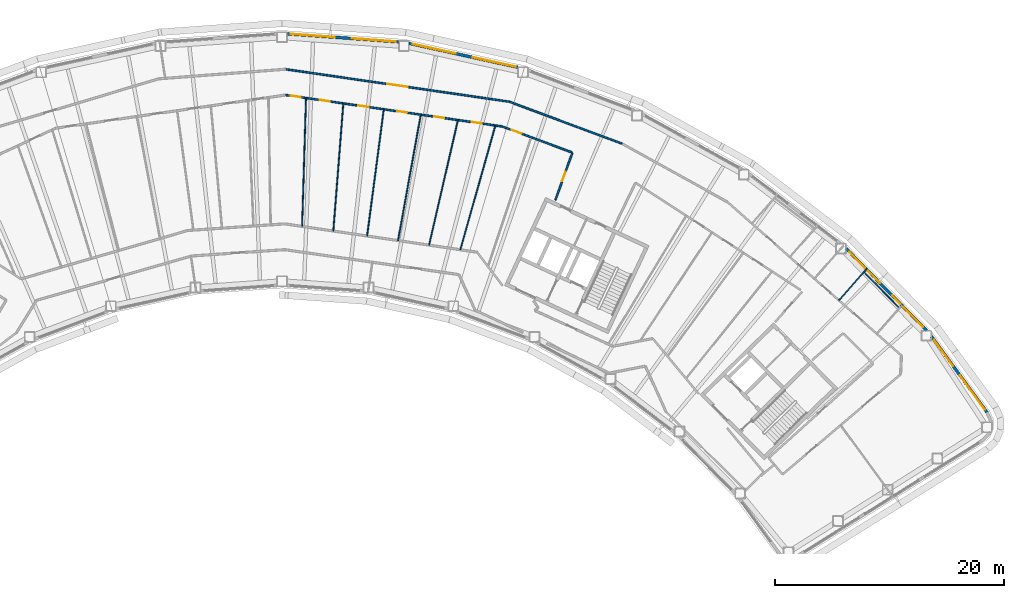
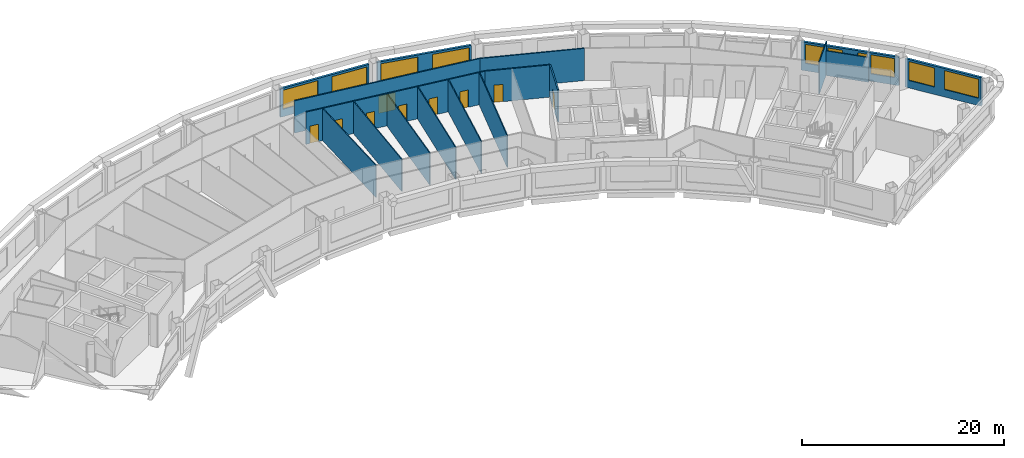
# One storey, part 11 of 17: 17 walls, 10 windows, 9 doors, 19 openings.
"""IFC4 building model written with IfcOpenShell, lengths in metres."""

from ifc_helpers import new_model, si_unit, direction, frame, frame_2d, origin, place, context, subcontext, project, spatial, rectangle, extrude, material, layer, layer_set, type_object, element, fill, save


model = new_model("IFC4")

# Units and contexts
model_context = context("Model", 3, precision=1e-05, world=origin(), true_north=direction((0.0, 1.0)))
body_context = subcontext(model_context, "Body", "Model", "MODEL_VIEW")
ifc_project = project(units=[si_unit("LENGTHUNIT", "METRE"), si_unit("AREAUNIT", "SQUARE_METRE"), si_unit("VOLUMEUNIT", "CUBIC_METRE"), si_unit("PLANEANGLEUNIT", "RADIAN"), si_unit("MASSUNIT", "GRAM", prefix="KILO")], contexts=[model_context])

# Site, building, storey
site_placement = place(None, origin())
site = spatial("IfcSite", under=ifc_project, at=site_placement, CompositionType="ELEMENT")
building_placement = place(site_placement, origin())
building = spatial("IfcBuilding", under=site, at=building_placement, Name="Tuul Gate Civic Tower", CompositionType="ELEMENT")
storey_placement = place(building_placement, frame((0.0, 0.0, 222.10009765625)))
storey = spatial("IfcBuildingStorey", under=building, at=storey_placement, Name="Level 50", CompositionType="ELEMENT", Elevation=222.10009765625)

# Wall
ifc_material_1 = material(Name="Gypsum board partition")
ifc_layer_1 = layer(ifc_material_1, 0.14990234375)
ifc_layer_set_1 = layer_set([ifc_layer_1], Name="Gypsum board partition")
wall_type_1 = type_object("IfcWallType", Name="Corridor wall P150", PredefinedType="PARTITIONING", material=ifc_layer_set_1)
wall_1_placement = place(storey_placement, frame((25.821044921875, 12.917724609375, 0.0), z_axis=(0.0, 0.0, 1.0), x_axis=(0.937348896715, -0.348392086345, 0.0)))
element("IfcWall", 1, at=wall_1_placement, inside=storey, type_object=wall_type_1, Name="p009", PredefinedType="PARTITIONING", context=body_context, shape_type="SweptSolid", body=[
    extrude(rectangle(XDim=10.526123046875, YDim=0.14990234375, at=frame_2d((5.26318359375, 0.0))), origin(), (0.0, 0.0, 1.0), 3.89990234375),
])

# Wall, opening, door
wall_2_placement = place(storey_placement, frame((6.242919921875, 15.760986328125, 0.0), z_axis=(0.0, 0.0, 1.0), x_axis=(0.989618566512, -0.143718797706, 0.0)))
wall_2 = element("IfcWall", 2, at=wall_2_placement, inside=storey, type_object=wall_type_1, Name="p010", PredefinedType="PARTITIONING", context=body_context, shape_type="SweptSolid", body=[
    extrude(rectangle(XDim=19.783447265625, YDim=0.14990234375, at=frame_2d((9.8916015625, 0.0))), origin(), (0.0, 0.0, 1.0), 3.89990234375),
])
opening_1_placement = place(wall_2_placement, frame((8.99169921875, 0.0, 0.0)))
opening_1 = element("IfcOpeningElement", 3, at=opening_1_placement, cuts=wall_2, Name="Opening R-D03", PredefinedType="OPENING", context=body_context, shape_type="SweptSolid", body=[
    extrude(rectangle(XDim=1.800048828125, YDim=2.10009765625, at=frame_2d((0.89990234375, 1.050048828125))), frame((0.0, 0.0849609375, 0.0), z_axis=(0.0, -1.0, 0.0), x_axis=(1.0, 0.0, 0.0)), (0.0, 0.0, 1.0), 0.169921875),
])
ifc_material_2 = material(Name="Timber door leaf, double", Category="wood")
door_type_1 = type_object("IfcDoorType", Name="Door D18", OperationType="DOUBLE_DOOR_SINGLE_SWING", PredefinedType="DOOR", material=ifc_material_2)
door_1_placement = place(opening_1_placement, origin())
door_1 = element("IfcDoor", 4, at=door_1_placement, inside=storey, type_object=door_type_1, Name="Door R-D03", OperationType="DOUBLE_DOOR_SINGLE_SWING", OverallHeight=2.10009765625, OverallWidth=1.800048828125, PredefinedType="DOOR", context=body_context, shape_type="SweptSolid", body=[
    extrude(rectangle(XDim=1.800048828125, YDim=2.10009765625, at=frame_2d((0.89990234375, 1.050048828125))), frame((0.0, 0.02490234375, 0.0), z_axis=(0.0, -1.0, 0.0), x_axis=(1.0, 0.0, 0.0)), (0.0, 0.0, 1.0), 0.050048828125),
])
fill(opening_1, door_1)

wall_3_placement = place(storey_placement, frame((25.187255859375, 10.7529296875, 0.0), z_axis=(0.0, 0.0, 1.0), x_axis=(0.937347352452, -0.348396241157, 0.0)))
wall_3 = element("IfcWall", 5, at=wall_3_placement, inside=storey, type_object=wall_type_1, Name="p061", PredefinedType="PARTITIONING", context=body_context, shape_type="SweptSolid", body=[
    extrude(rectangle(XDim=6.547119140625, YDim=0.14990234375, at=frame_2d((3.2734375, 0.0))), origin(), (0.0, 0.0, 1.0), 3.89990234375),
])
opening_2_placement = place(wall_3_placement, frame((0.9091796875, 0.0, 0.0)))
opening_2 = element("IfcOpeningElement", 6, at=opening_2_placement, cuts=wall_3, Name="Opening R-D18", PredefinedType="OPENING", context=body_context, shape_type="SweptSolid", body=[
    extrude(rectangle(XDim=0.89990234375, YDim=2.10009765625, at=frame_2d((0.449951171875, 1.050048828125))), frame((0.0, 0.0849609375, 0.0), z_axis=(0.0, -1.0, 0.0), x_axis=(1.0, 0.0, 0.0)), (0.0, 0.0, 1.0), 0.169921875),
])
ifc_material_3 = material(Name="Timber door leaf", Category="wood")
door_type_2 = type_object("IfcDoorType", Name="Door D09", OperationType="NOTDEFINED", PredefinedType="DOOR", material=ifc_material_3)
door_2_placement = place(opening_2_placement, frame((0.89990234375, 0.0, 0.0), z_axis=(0.0, 0.0, 1.0), x_axis=(-1.0, 0.0, 0.0)))
door_2 = element("IfcDoor", 7, at=door_2_placement, inside=storey, type_object=door_type_2, Name="Door R-D18", OperationType="SINGLE_SWING_LEFT", OverallHeight=2.10009765625, OverallWidth=0.89990234375, PredefinedType="DOOR", context=body_context, shape_type="SweptSolid", body=[
    extrude(rectangle(XDim=0.89990234375, YDim=2.10009765625, at=frame_2d((0.449951171875, 1.050048828125))), frame((0.0, 0.02490234375, 0.0), z_axis=(0.0, -1.0, 0.0), x_axis=(1.0, 0.0, 0.0)), (0.0, 0.0, 1.0), 0.050048828125),
])
fill(opening_2, door_2)

wall_4_placement = place(storey_placement, frame((29.856201171875, 4.308349609375, 0.0), z_axis=(0.0, 0.0, 1.0), x_axis=(0.336804466951, 0.941574612573, 0.0)))
wall_4 = element("IfcWall", 8, at=wall_4_placement, inside=storey, type_object=wall_type_1, Name="p062", PredefinedType="PARTITIONING", context=body_context, shape_type="SweptSolid", body=[
    extrude(rectangle(XDim=4.394287109375, YDim=0.14990234375, at=frame_2d((2.197265625, 0.0))), origin(), (0.0, 0.0, 1.0), 3.89990234375),
])
opening_3_placement = place(wall_4_placement, frame((1.747314453125, 0.0, 0.0)))
opening_3 = element("IfcOpeningElement", 9, at=opening_3_placement, cuts=wall_4, Name="Opening R-D17", PredefinedType="OPENING", context=body_context, shape_type="SweptSolid", body=[
    extrude(rectangle(XDim=0.89990234375, YDim=2.10009765625, at=frame_2d((0.449951171875, 1.050048828125))), frame((0.0, 0.0849609375, 0.0), z_axis=(0.0, -1.0, 0.0), x_axis=(1.0, 0.0, 0.0)), (0.0, 0.0, 1.0), 0.169921875),
])
door_3_placement = place(opening_3_placement, origin())
door_3 = element("IfcDoor", 10, at=door_3_placement, inside=storey, type_object=door_type_2, Name="Door R-D17", OperationType="SINGLE_SWING_RIGHT", OverallHeight=2.10009765625, OverallWidth=0.89990234375, PredefinedType="DOOR", context=body_context, shape_type="SweptSolid", body=[
    extrude(rectangle(XDim=0.89990234375, YDim=2.10009765625, at=frame_2d((0.449951171875, 1.050048828125))), frame((0.0, 0.02490234375, 0.0), z_axis=(0.0, -1.0, 0.0), x_axis=(1.0, 0.0, 0.0)), (0.0, 0.0, 1.0), 0.050048828125),
])
fill(opening_3, door_3)

# Wall, openings, doors
wall_5_placement = place(storey_placement, frame((6.25, 13.50439453125, 0.0), z_axis=(0.0, 0.0, 1.0), x_axis=(0.989614183691, -0.143748973694, 0.0)))
wall_5 = element("IfcWall", 11, at=wall_5_placement, inside=storey, type_object=wall_type_1, Name="p065", PredefinedType="PARTITIONING", context=body_context, shape_type="SweptSolid", body=[
    extrude(rectangle(XDim=19.130615234375, YDim=0.14990234375, at=frame_2d((9.5654296875, 0.0))), origin(), (0.0, 0.0, 1.0), 3.89990234375),
])
opening_4_placement = place(wall_5_placement, frame((16.439697265625, 0.0, 0.0)))
opening_4 = element("IfcOpeningElement", 12, at=opening_4_placement, cuts=wall_5, Name="Opening R-D19", PredefinedType="OPENING", context=body_context, shape_type="SweptSolid", body=[
    extrude(rectangle(XDim=0.89990234375, YDim=2.10009765625, at=frame_2d((0.449951171875, 1.050048828125))), frame((0.0, 0.0849609375, 0.0), z_axis=(0.0, -1.0, 0.0), x_axis=(1.0, 0.0, 0.0)), (0.0, 0.0, 1.0), 0.169921875),
])
opening_5_placement = place(wall_5_placement, frame((13.142822265625, 0.0, 0.0)))
opening_5 = element("IfcOpeningElement", 13, at=opening_5_placement, cuts=wall_5, Name="Opening R-D20", PredefinedType="OPENING", context=body_context, shape_type="SweptSolid", body=[
    extrude(rectangle(XDim=0.89990234375, YDim=2.10009765625, at=frame_2d((0.449951171875, 1.050048828125))), frame((0.0, 0.0849609375, 0.0), z_axis=(0.0, -1.0, 0.0), x_axis=(1.0, 0.0, 0.0)), (0.0, 0.0, 1.0), 0.169921875),
])
opening_6_placement = place(wall_5_placement, frame((9.864501953125, 0.0, 0.0)))
opening_6 = element("IfcOpeningElement", 14, at=opening_6_placement, cuts=wall_5, Name="Opening R-D21", PredefinedType="OPENING", context=body_context, shape_type="SweptSolid", body=[
    extrude(rectangle(XDim=0.89990234375, YDim=2.10009765625, at=frame_2d((0.449951171875, 1.050048828125))), frame((0.0, 0.0849609375, 0.0), z_axis=(0.0, -1.0, 0.0), x_axis=(1.0, 0.0, 0.0)), (0.0, 0.0, 1.0), 0.169921875),
])
opening_7_placement = place(wall_5_placement, frame((6.4404296875, 0.0, 0.0)))
opening_7 = element("IfcOpeningElement", 15, at=opening_7_placement, cuts=wall_5, Name="Opening R-D22", PredefinedType="OPENING", context=body_context, shape_type="SweptSolid", body=[
    extrude(rectangle(XDim=0.89990234375, YDim=2.10009765625, at=frame_2d((0.449951171875, 1.050048828125))), frame((0.0, 0.0849609375, 0.0), z_axis=(0.0, -1.0, 0.0), x_axis=(1.0, 0.0, 0.0)), (0.0, 0.0, 1.0), 0.169921875),
])
opening_8_placement = place(wall_5_placement, frame((3.003173828125, 0.0, 0.0)))
opening_8 = element("IfcOpeningElement", 16, at=opening_8_placement, cuts=wall_5, Name="Opening R-D23", PredefinedType="OPENING", context=body_context, shape_type="SweptSolid", body=[
    extrude(rectangle(XDim=0.89990234375, YDim=2.10009765625, at=frame_2d((0.449951171875, 1.050048828125))), frame((0.0, 0.0849609375, 0.0), z_axis=(0.0, -1.0, 0.0), x_axis=(1.0, 0.0, 0.0)), (0.0, 0.0, 1.0), 0.169921875),
])
opening_9_placement = place(wall_5_placement, frame((0.451904296875, 0.0, 0.0)))
opening_9 = element("IfcOpeningElement", 17, at=opening_9_placement, cuts=wall_5, Name="Opening R-D24", PredefinedType="OPENING", context=body_context, shape_type="SweptSolid", body=[
    extrude(rectangle(XDim=0.89990234375, YDim=2.10009765625, at=frame_2d((0.449951171875, 1.050048828125))), frame((0.0, 0.0849609375, 0.0), z_axis=(0.0, -1.0, 0.0), x_axis=(1.0, 0.0, 0.0)), (0.0, 0.0, 1.0), 0.169921875),
])
door_4_placement = place(opening_4_placement, frame((0.89990234375, 0.0, 0.0), z_axis=(0.0, 0.0, 1.0), x_axis=(-1.0, 0.0, 0.0)))
door_4 = element("IfcDoor", 18, at=door_4_placement, inside=storey, type_object=door_type_2, Name="Door R-D19", OperationType="SINGLE_SWING_LEFT", OverallHeight=2.10009765625, OverallWidth=0.89990234375, PredefinedType="DOOR", context=body_context, shape_type="SweptSolid", body=[
    extrude(rectangle(XDim=0.89990234375, YDim=2.10009765625, at=frame_2d((0.449951171875, 1.050048828125))), frame((0.0, 0.02490234375, 0.0), z_axis=(0.0, -1.0, 0.0), x_axis=(1.0, 0.0, 0.0)), (0.0, 0.0, 1.0), 0.050048828125),
])
fill(opening_4, door_4)
door_5_placement = place(opening_5_placement, frame((0.89990234375, 0.0, 0.0), z_axis=(0.0, 0.0, 1.0), x_axis=(-1.0, 0.0, 0.0)))
door_5 = element("IfcDoor", 19, at=door_5_placement, inside=storey, type_object=door_type_2, Name="Door R-D20", OperationType="SINGLE_SWING_LEFT", OverallHeight=2.10009765625, OverallWidth=0.89990234375, PredefinedType="DOOR", context=body_context, shape_type="SweptSolid", body=[
    extrude(rectangle(XDim=0.89990234375, YDim=2.10009765625, at=frame_2d((0.449951171875, 1.050048828125))), frame((0.0, 0.02490234375, 0.0), z_axis=(0.0, -1.0, 0.0), x_axis=(1.0, 0.0, 0.0)), (0.0, 0.0, 1.0), 0.050048828125),
])
fill(opening_5, door_5)
door_6_placement = place(opening_6_placement, frame((0.89990234375, 0.0, 0.0), z_axis=(0.0, 0.0, 1.0), x_axis=(-1.0, 0.0, 0.0)))
door_6 = element("IfcDoor", 20, at=door_6_placement, inside=storey, type_object=door_type_2, Name="Door R-D21", OperationType="SINGLE_SWING_LEFT", OverallHeight=2.10009765625, OverallWidth=0.89990234375, PredefinedType="DOOR", context=body_context, shape_type="SweptSolid", body=[
    extrude(rectangle(XDim=0.89990234375, YDim=2.10009765625, at=frame_2d((0.449951171875, 1.050048828125))), frame((0.0, 0.02490234375, 0.0), z_axis=(0.0, -1.0, 0.0), x_axis=(1.0, 0.0, 0.0)), (0.0, 0.0, 1.0), 0.050048828125),
])
fill(opening_6, door_6)
door_7_placement = place(opening_7_placement, frame((0.89990234375, 0.0, 0.0), z_axis=(0.0, 0.0, 1.0), x_axis=(-1.0, 0.0, 0.0)))
door_7 = element("IfcDoor", 21, at=door_7_placement, inside=storey, type_object=door_type_2, Name="Door R-D22", OperationType="SINGLE_SWING_LEFT", OverallHeight=2.10009765625, OverallWidth=0.89990234375, PredefinedType="DOOR", context=body_context, shape_type="SweptSolid", body=[
    extrude(rectangle(XDim=0.89990234375, YDim=2.10009765625, at=frame_2d((0.449951171875, 1.050048828125))), frame((0.0, 0.02490234375, 0.0), z_axis=(0.0, -1.0, 0.0), x_axis=(1.0, 0.0, 0.0)), (0.0, 0.0, 1.0), 0.050048828125),
])
fill(opening_7, door_7)
door_8_placement = place(opening_8_placement, frame((0.89990234375, 0.0, 0.0), z_axis=(0.0, 0.0, 1.0), x_axis=(-1.0, 0.0, 0.0)))
door_8 = element("IfcDoor", 22, at=door_8_placement, inside=storey, type_object=door_type_2, Name="Door R-D23", OperationType="SINGLE_SWING_LEFT", OverallHeight=2.10009765625, OverallWidth=0.89990234375, PredefinedType="DOOR", context=body_context, shape_type="SweptSolid", body=[
    extrude(rectangle(XDim=0.89990234375, YDim=2.10009765625, at=frame_2d((0.449951171875, 1.050048828125))), frame((0.0, 0.02490234375, 0.0), z_axis=(0.0, -1.0, 0.0), x_axis=(1.0, 0.0, 0.0)), (0.0, 0.0, 1.0), 0.050048828125),
])
fill(opening_8, door_8)
door_9_placement = place(opening_9_placement, frame((0.89990234375, 0.0, 0.0), z_axis=(0.0, 0.0, 1.0), x_axis=(-1.0, 0.0, 0.0)))
door_9 = element("IfcDoor", 23, at=door_9_placement, inside=storey, type_object=door_type_2, Name="Door R-D24", OperationType="SINGLE_SWING_LEFT", OverallHeight=2.10009765625, OverallWidth=0.89990234375, PredefinedType="DOOR", context=body_context, shape_type="SweptSolid", body=[
    extrude(rectangle(XDim=0.89990234375, YDim=2.10009765625, at=frame_2d((0.449951171875, 1.050048828125))), frame((0.0, 0.02490234375, 0.0), z_axis=(0.0, -1.0, 0.0), x_axis=(1.0, 0.0, 0.0)), (0.0, 0.0, 1.0), 0.050048828125),
])
fill(opening_9, door_9)

# Wall, openings, windows
ifc_material_4 = material(Name="Precast concrete C40/50", Category="concrete")
ifc_layer_2 = layer(ifc_material_4, 0.25)
ifc_layer_set_2 = layer_set([ifc_layer_2], Name="Precast concrete C40/50")
wall_type_2 = type_object("IfcWallType", Name="External wall", PredefinedType="STANDARD", material=ifc_layer_set_2)
wall_6_placement = place(storey_placement, frame((67.629150390625, -14.27978515625, 0.0), z_axis=(0.0, 0.0, 1.0), x_axis=(-0.589817033075, 0.807536914014, 0.0)))
wall_6 = element("IfcWall", 24, at=wall_6_placement, inside=storey, type_object=wall_type_2, Name="External wall", PredefinedType="STANDARD", context=body_context, shape_type="SweptSolid", body=[
    extrude(rectangle(XDim=8.251953125, YDim=0.25, at=frame_2d((4.1259765625, 0.0))), origin(), (0.0, 0.0, 1.0), 3.449951171875),
])
opening_10_placement = place(wall_6_placement, frame((0.30078125, 0.0, 0.89990234375)))
opening_10 = element("IfcOpeningElement", 25, at=opening_10_placement, cuts=wall_6, Name="Opening W21", PredefinedType="OPENING", context=body_context, shape_type="SweptSolid", body=[
    extrude(rectangle(XDim=3.699951171875, YDim=2.300048828125, at=frame_2d((1.85009765625, 1.14990234375))), frame((0.0, 0.135009765625, 0.0), z_axis=(0.0, -1.0, 0.0), x_axis=(1.0, 0.0, 0.0)), (0.0, 0.0, 1.0), 0.27001953125),
])
opening_11_placement = place(wall_6_placement, frame((5.052001953125, 0.0, 0.89990234375)))
opening_11 = element("IfcOpeningElement", 26, at=opening_11_placement, cuts=wall_6, Name="Opening W23", PredefinedType="OPENING", context=body_context, shape_type="SweptSolid", body=[
    extrude(rectangle(XDim=2.800048828125, YDim=2.300048828125, at=frame_2d((1.39990234375, 1.14990234375))), frame((0.0, 0.135009765625, 0.0), z_axis=(0.0, -1.0, 0.0), x_axis=(1.0, 0.0, 0.0)), (0.0, 0.0, 1.0), 0.27001953125),
])
ifc_material_5 = material(Name="Glass", Category="glass")
window_type_1 = type_object("IfcWindowType", Name="Window W21 3700 x 2300", PartitioningType="SINGLE_PANEL", PredefinedType="WINDOW", material=ifc_material_5)
window_1_placement = place(opening_10_placement, origin())
window_1 = element("IfcWindow", 27, at=window_1_placement, inside=storey, type_object=window_type_1, Name="Window", OverallHeight=2.300048828125, OverallWidth=3.699951171875, PartitioningType="SINGLE_PANEL", PredefinedType="WINDOW", context=body_context, shape_type="SweptSolid", body=[
    extrude(rectangle(XDim=3.699951171875, YDim=2.300048828125, at=frame_2d((1.85009765625, 1.14990234375))), frame((0.0, 0.030029296875, 0.0), z_axis=(0.0, -1.0, 0.0), x_axis=(1.0, 0.0, 0.0)), (0.0, 0.0, 1.0), 0.06005859375),
])
fill(opening_10, window_1)
ifc_material_6 = material(Name="Glass", Category="glass")
window_type_2 = type_object("IfcWindowType", Name="Window W23 2800 x 2300", PartitioningType="SINGLE_PANEL", PredefinedType="WINDOW", material=ifc_material_6)
window_2_placement = place(opening_11_placement, origin())
window_2 = element("IfcWindow", 28, at=window_2_placement, inside=storey, type_object=window_type_2, Name="Window", OverallHeight=2.300048828125, OverallWidth=2.800048828125, PartitioningType="SINGLE_PANEL", PredefinedType="WINDOW", context=body_context, shape_type="SweptSolid", body=[
    extrude(rectangle(XDim=2.800048828125, YDim=2.300048828125, at=frame_2d((1.39990234375, 1.14990234375))), frame((0.0, 0.030029296875, 0.0), z_axis=(0.0, -1.0, 0.0), x_axis=(1.0, 0.0, 0.0)), (0.0, 0.0, 1.0), 0.06005859375),
])
fill(opening_11, window_2)

wall_7_placement = place(storey_placement, frame((62.3251953125, -7.10009765625, 0.0), z_axis=(0.0, 0.0, 1.0), x_axis=(-0.699993234942, 0.714149473875, 0.0)))
wall_7 = element("IfcWall", 29, at=wall_7_placement, inside=storey, type_object=wall_type_2, Name="External wall", PredefinedType="STANDARD", context=body_context, shape_type="SweptSolid", body=[
    extrude(rectangle(XDim=10.054443359375, YDim=0.25, at=frame_2d((5.02734375, 0.0))), origin(), (0.0, 0.0, 1.0), 3.449951171875),
])
opening_12_placement = place(wall_7_placement, frame((0.434814453125, 0.0, 0.89990234375)))
opening_12 = element("IfcOpeningElement", 30, at=opening_12_placement, cuts=wall_7, Name="Opening W56", PredefinedType="OPENING", context=body_context, shape_type="SweptSolid", body=[
    extrude(rectangle(XDim=2.449951171875, YDim=2.300048828125, at=frame_2d((1.22509765625, 1.14990234375))), frame((0.0, 0.135009765625, 0.0), z_axis=(0.0, -1.0, 0.0), x_axis=(1.0, 0.0, 0.0)), (0.0, 0.0, 1.0), 0.27001953125),
])
opening_13_placement = place(wall_7_placement, frame((3.259765625, 0.0, 0.89990234375)))
opening_13 = element("IfcOpeningElement", 31, at=opening_13_placement, cuts=wall_7, Name="Opening W57", PredefinedType="OPENING", context=body_context, shape_type="SweptSolid", body=[
    extrude(rectangle(XDim=1.0, YDim=2.300048828125, at=frame_2d((0.5, 1.14990234375))), frame((0.0, 0.135009765625, 0.0), z_axis=(0.0, -1.0, 0.0), x_axis=(1.0, 0.0, 0.0)), (0.0, 0.0, 1.0), 0.27001953125),
])
opening_14_placement = place(wall_7_placement, frame((5.81103515625, 0.0, 0.89990234375)))
opening_14 = element("IfcOpeningElement", 32, at=opening_14_placement, cuts=wall_7, Name="Opening W58", PredefinedType="OPENING", context=body_context, shape_type="SweptSolid", body=[
    extrude(rectangle(XDim=1.5, YDim=2.300048828125, at=frame_2d((0.75, 1.14990234375))), frame((0.0, 0.135009765625, 0.0), z_axis=(0.0, -1.0, 0.0), x_axis=(1.0, 0.0, 0.0)), (0.0, 0.0, 1.0), 0.27001953125),
])
opening_15_placement = place(wall_7_placement, frame((7.68603515625, 0.0, 0.89990234375)))
opening_15 = element("IfcOpeningElement", 33, at=opening_15_placement, cuts=wall_7, Name="Opening W46", PredefinedType="OPENING", context=body_context, shape_type="SweptSolid", body=[
    extrude(rectangle(XDim=1.949951171875, YDim=2.300048828125, at=frame_2d((0.97509765625, 1.14990234375))), frame((0.0, 0.135009765625, 0.0), z_axis=(0.0, -1.0, 0.0), x_axis=(1.0, 0.0, 0.0)), (0.0, 0.0, 1.0), 0.27001953125),
])
ifc_material_7 = material(Name="Glass", Category="glass")
window_type_3 = type_object("IfcWindowType", Name="Window 1000 x 2300", PartitioningType="SINGLE_PANEL", PredefinedType="WINDOW", material=ifc_material_7)
window_3_placement = place(opening_13_placement, origin())
window_3 = element("IfcWindow", 34, at=window_3_placement, inside=storey, type_object=window_type_3, Name="Window", OverallHeight=2.300048828125, OverallWidth=1.0, PartitioningType="SINGLE_PANEL", PredefinedType="WINDOW", context=body_context, shape_type="SweptSolid", body=[
    extrude(rectangle(XDim=1.0, YDim=2.300048828125, at=frame_2d((0.5, 1.14990234375))), frame((0.0, 0.030029296875, 0.0), z_axis=(0.0, -1.0, 0.0), x_axis=(1.0, 0.0, 0.0)), (0.0, 0.0, 1.0), 0.06005859375),
])
fill(opening_13, window_3)
ifc_material_8 = material(Name="Glass", Category="glass")
window_type_4 = type_object("IfcWindowType", Name="Window 1500 x 2300", PartitioningType="SINGLE_PANEL", PredefinedType="WINDOW", material=ifc_material_8)
window_4_placement = place(opening_14_placement, origin())
window_4 = element("IfcWindow", 35, at=window_4_placement, inside=storey, type_object=window_type_4, Name="Window", OverallHeight=2.300048828125, OverallWidth=1.5, PartitioningType="SINGLE_PANEL", PredefinedType="WINDOW", context=body_context, shape_type="SweptSolid", body=[
    extrude(rectangle(XDim=1.5, YDim=2.300048828125, at=frame_2d((0.75, 1.14990234375))), frame((0.0, 0.030029296875, 0.0), z_axis=(0.0, -1.0, 0.0), x_axis=(1.0, 0.0, 0.0)), (0.0, 0.0, 1.0), 0.06005859375),
])
fill(opening_14, window_4)
ifc_material_9 = material(Name="Glass", Category="glass")
window_type_5 = type_object("IfcWindowType", Name="Window 1950 x 2300", PartitioningType="SINGLE_PANEL", PredefinedType="WINDOW", material=ifc_material_9)
window_5_placement = place(opening_15_placement, origin())
window_5 = element("IfcWindow", 36, at=window_5_placement, inside=storey, type_object=window_type_5, Name="Window", OverallHeight=2.300048828125, OverallWidth=1.949951171875, PartitioningType="SINGLE_PANEL", PredefinedType="WINDOW", context=body_context, shape_type="SweptSolid", body=[
    extrude(rectangle(XDim=1.949951171875, YDim=2.300048828125, at=frame_2d((0.97509765625, 1.14990234375))), frame((0.0, 0.030029296875, 0.0), z_axis=(0.0, -1.0, 0.0), x_axis=(1.0, 0.0, 0.0)), (0.0, 0.0, 1.0), 0.06005859375),
])
fill(opening_15, window_5)
ifc_material_10 = material(Name="Glass", Category="glass")
window_type_6 = type_object("IfcWindowType", Name="Window 2450 x 2300", PartitioningType="SINGLE_PANEL", PredefinedType="WINDOW", material=ifc_material_10)
window_6_placement = place(opening_12_placement, origin())
window_6 = element("IfcWindow", 37, at=window_6_placement, inside=storey, type_object=window_type_6, Name="Window", OverallHeight=2.300048828125, OverallWidth=2.449951171875, PartitioningType="SINGLE_PANEL", PredefinedType="WINDOW", context=body_context, shape_type="SweptSolid", body=[
    extrude(rectangle(XDim=2.449951171875, YDim=2.300048828125, at=frame_2d((1.22509765625, 1.14990234375))), frame((0.0, 0.030029296875, 0.0), z_axis=(0.0, -1.0, 0.0), x_axis=(1.0, 0.0, 0.0)), (0.0, 0.0, 1.0), 0.06005859375),
])
fill(opening_12, window_6)

wall_8_placement = place(storey_placement, frame((26.56591796875, 15.927490234375, 0.0), z_axis=(0.0, 0.0, 1.0), x_axis=(-0.976564786218, 0.215223647211, 0.0)))
wall_8 = element("IfcWall", 38, at=wall_8_placement, inside=storey, type_object=wall_type_2, Name="External wall", PredefinedType="STANDARD", context=body_context, shape_type="SweptSolid", body=[
    extrude(rectangle(XDim=9.75537109375, YDim=0.25, at=frame_2d((4.877685546875, 0.0))), origin(), (0.0, 0.0, 1.0), 3.449951171875),
])
opening_16_placement = place(wall_8_placement, frame((0.1953125, 0.0, 0.89990234375)))
opening_16 = element("IfcOpeningElement", 39, at=opening_16_placement, cuts=wall_8, Name="Opening W22", PredefinedType="OPENING", context=body_context, shape_type="SweptSolid", body=[
    extrude(rectangle(XDim=3.85009765625, YDim=2.300048828125, at=frame_2d((1.925048828125, 1.14990234375))), frame((0.0, 0.135009765625, 0.0), z_axis=(0.0, -1.0, 0.0), x_axis=(1.0, 0.0, 0.0)), (0.0, 0.0, 1.0), 0.27001953125),
])
opening_17_placement = place(wall_8_placement, frame((5.566650390625, 0.0, 0.89990234375)))
opening_17 = element("IfcOpeningElement", 40, at=opening_17_placement, cuts=wall_8, Name="Opening W22", PredefinedType="OPENING", context=body_context, shape_type="SweptSolid", body=[
    extrude(rectangle(XDim=3.85009765625, YDim=2.300048828125, at=frame_2d((1.925048828125, 1.14990234375))), frame((0.0, 0.135009765625, 0.0), z_axis=(0.0, -1.0, 0.0), x_axis=(1.0, 0.0, 0.0)), (0.0, 0.0, 1.0), 0.27001953125),
])
ifc_material_11 = material(Name="Glass", Category="glass")
window_type_7 = type_object("IfcWindowType", Name="Window W22 3850 x 2300", PartitioningType="SINGLE_PANEL", PredefinedType="WINDOW", material=ifc_material_11)
window_7_placement = place(opening_16_placement, origin())
window_7 = element("IfcWindow", 41, at=window_7_placement, inside=storey, type_object=window_type_7, Name="Window", OverallHeight=2.300048828125, OverallWidth=3.85009765625, PartitioningType="SINGLE_PANEL", PredefinedType="WINDOW", context=body_context, shape_type="SweptSolid", body=[
    extrude(rectangle(XDim=3.85009765625, YDim=2.300048828125, at=frame_2d((1.925048828125, 1.14990234375))), frame((0.0, 0.030029296875, 0.0), z_axis=(0.0, -1.0, 0.0), x_axis=(1.0, 0.0, 0.0)), (0.0, 0.0, 1.0), 0.06005859375),
])
fill(opening_16, window_7)
window_8_placement = place(opening_17_placement, origin())
window_8 = element("IfcWindow", 42, at=window_8_placement, inside=storey, type_object=window_type_7, Name="Window", OverallHeight=2.300048828125, OverallWidth=3.85009765625, PartitioningType="SINGLE_PANEL", PredefinedType="WINDOW", context=body_context, shape_type="SweptSolid", body=[
    extrude(rectangle(XDim=3.85009765625, YDim=2.300048828125, at=frame_2d((1.925048828125, 1.14990234375))), frame((0.0, 0.030029296875, 0.0), z_axis=(0.0, -1.0, 0.0), x_axis=(1.0, 0.0, 0.0)), (0.0, 0.0, 1.0), 0.06005859375),
])
fill(opening_17, window_8)

wall_9_placement = place(storey_placement, frame((16.138916015625, 18.152099609375, 0.0), z_axis=(0.0, 0.0, 1.0), x_axis=(-0.997380514853, 0.072333315912, 0.0)))
wall_9 = element("IfcWall", 43, at=wall_9_placement, inside=storey, type_object=wall_type_2, Name="External wall", PredefinedType="STANDARD", context=body_context, shape_type="SweptSolid", body=[
    extrude(rectangle(XDim=9.774658203125, YDim=0.25, at=frame_2d((4.88720703125, 0.0))), origin(), (0.0, 0.0, 1.0), 3.449951171875),
])
opening_18_placement = place(wall_9_placement, frame((0.253173828125, 0.0, 0.89990234375)))
opening_18 = element("IfcOpeningElement", 44, at=opening_18_placement, cuts=wall_9, Name="Opening W22", PredefinedType="OPENING", context=body_context, shape_type="SweptSolid", body=[
    extrude(rectangle(XDim=3.85009765625, YDim=2.300048828125, at=frame_2d((1.925048828125, 1.14990234375))), frame((0.0, 0.135009765625, 0.0), z_axis=(0.0, -1.0, 0.0), x_axis=(1.0, 0.0, 0.0)), (0.0, 0.0, 1.0), 0.27001953125),
])
opening_19_placement = place(wall_9_placement, frame((5.624267578125, 0.0, 0.89990234375)))
opening_19 = element("IfcOpeningElement", 45, at=opening_19_placement, cuts=wall_9, Name="Opening W22", PredefinedType="OPENING", context=body_context, shape_type="SweptSolid", body=[
    extrude(rectangle(XDim=3.85009765625, YDim=2.300048828125, at=frame_2d((1.925048828125, 1.14990234375))), frame((0.0, 0.135009765625, 0.0), z_axis=(0.0, -1.0, 0.0), x_axis=(1.0, 0.0, 0.0)), (0.0, 0.0, 1.0), 0.27001953125),
])
window_9_placement = place(opening_18_placement, origin())
window_9 = element("IfcWindow", 46, at=window_9_placement, inside=storey, type_object=window_type_7, Name="Window", OverallHeight=2.300048828125, OverallWidth=3.85009765625, PartitioningType="SINGLE_PANEL", PredefinedType="WINDOW", context=body_context, shape_type="SweptSolid", body=[
    extrude(rectangle(XDim=3.85009765625, YDim=2.300048828125, at=frame_2d((1.925048828125, 1.14990234375))), frame((0.0, 0.030029296875, 0.0), z_axis=(0.0, -1.0, 0.0), x_axis=(1.0, 0.0, 0.0)), (0.0, 0.0, 1.0), 0.06005859375),
])
fill(opening_18, window_9)
window_10_placement = place(opening_19_placement, origin())
window_10 = element("IfcWindow", 47, at=window_10_placement, inside=storey, type_object=window_type_7, Name="Window", OverallHeight=2.300048828125, OverallWidth=3.85009765625, PartitioningType="SINGLE_PANEL", PredefinedType="WINDOW", context=body_context, shape_type="SweptSolid", body=[
    extrude(rectangle(XDim=3.85009765625, YDim=2.300048828125, at=frame_2d((1.925048828125, 1.14990234375))), frame((0.0, 0.030029296875, 0.0), z_axis=(0.0, -1.0, 0.0), x_axis=(1.0, 0.0, 0.0)), (0.0, 0.0, 1.0), 0.06005859375),
])
fill(opening_19, window_10)

# Walls
ifc_material_12 = material(Name="Gypsum board partition")
ifc_layer_3 = layer(ifc_material_12, 0.10009765625)
ifc_layer_set_3 = layer_set([ifc_layer_3], Name="Gypsum board partition")
wall_type_3 = type_object("IfcWallType", Name="Partition P100", PredefinedType="PARTITIONING", material=ifc_layer_set_3)
wall_10_placement = place(storey_placement, frame((54.662109375, -4.463134765625, 0.0), z_axis=(0.0, 0.0, 1.0), x_axis=(0.661716988916, 0.749753710615, 0.0)))
element("IfcWall", 48, at=wall_10_placement, inside=storey, type_object=wall_type_3, Name="p003", PredefinedType="PARTITIONING", context=body_context, shape_type="SweptSolid", body=[
    extrude(rectangle(XDim=3.64111328125, YDim=0.10009765625, at=frame_2d((1.820556640625, 0.0))), origin(), (0.0, 0.0, 1.0), 3.89990234375),
])
wall_11_placement = place(storey_placement, frame((21.535888671875, -0.033447265625, 0.0), z_axis=(0.0, 0.0, 1.0), x_axis=(0.271433984852, 0.962457059752, 0.0)))
element("IfcWall", 49, at=wall_11_placement, inside=storey, type_object=wall_type_3, Name="p064", PredefinedType="PARTITIONING", context=body_context, shape_type="SweptSolid", body=[
    extrude(rectangle(XDim=11.296142578125, YDim=0.10009765625, at=frame_2d((5.64794921875, 0.0))), origin(), (0.0, 0.0, 1.0), 3.89990234375),
])
wall_12_placement = place(storey_placement, frame((18.7998046875, 0.369873046875, 0.0), z_axis=(0.0, 0.0, 1.0), x_axis=(0.224938876521, 0.974372876177, 0.0)))
element("IfcWall", 50, at=wall_12_placement, inside=storey, type_object=wall_type_3, Name="p067", PredefinedType="PARTITIONING", context=body_context, shape_type="SweptSolid", body=[
    extrude(rectangle(XDim=11.232421875, YDim=0.10009765625, at=frame_2d((5.6162109375, 0.0))), origin(), (0.0, 0.0, 1.0), 3.89990234375),
])
wall_13_placement = place(storey_placement, frame((16.084716796875, 0.770263671875, 0.0), z_axis=(0.0, 0.0, 1.0), x_axis=(0.177952676441, 0.984039046455, 0.0)))
element("IfcWall", 51, at=wall_13_placement, inside=storey, type_object=wall_type_3, Name="p068", PredefinedType="PARTITIONING", context=body_context, shape_type="SweptSolid", body=[
    extrude(rectangle(XDim=11.195068359375, YDim=0.10009765625, at=frame_2d((5.59765625, 0.0))), origin(), (0.0, 0.0, 1.0), 3.89990234375),
])
wall_14_placement = place(storey_placement, frame((13.37841796875, 1.16943359375, 0.0), z_axis=(0.0, 0.0, 1.0), x_axis=(0.130529056492, 0.991444484281, 0.0)))
element("IfcWall", 52, at=wall_14_placement, inside=storey, type_object=wall_type_3, Name="p069", PredefinedType="PARTITIONING", context=body_context, shape_type="SweptSolid", body=[
    extrude(rectangle(XDim=11.18310546875, YDim=0.10009765625, at=frame_2d((5.591552734375, 0.0))), origin(), (0.0, 0.0, 1.0), 3.89990234375),
])
wall_15_placement = place(storey_placement, frame((10.4208984375, 1.60546875, 0.0), z_axis=(0.0, 0.0, 1.0), x_axis=(0.078451646347, 0.996917919984, 0.0)))
element("IfcWall", 53, at=wall_15_placement, inside=storey, type_object=wall_type_3, Name="p070", PredefinedType="PARTITIONING", context=body_context, shape_type="SweptSolid", body=[
    extrude(rectangle(XDim=11.199951171875, YDim=0.10009765625, at=frame_2d((5.60009765625, 0.0))), origin(), (0.0, 0.0, 1.0), 3.89990234375),
])
wall_16_placement = place(storey_placement, frame((7.691650390625, 2.008056640625, 0.0), z_axis=(0.0, 0.0, 1.0), x_axis=(0.03053304503, 0.99953375789, 0.0)))
element("IfcWall", 54, at=wall_16_placement, inside=storey, type_object=wall_type_3, Name="p071", PredefinedType="PARTITIONING", context=body_context, shape_type="SweptSolid", body=[
    extrude(rectangle(XDim=11.2421875, YDim=0.10009765625, at=frame_2d((5.62109375, 0.0))), origin(), (0.0, 0.0, 1.0), 3.89990234375),
])
ifc_material_13 = material(Name="Gypsum board partition")
ifc_layer_4 = layer(ifc_material_13, 0.10009765625)
ifc_layer_set_4 = layer_set([ifc_layer_4], Name="Gypsum board partition")
wall_type_4 = type_object("IfcWallType", Name="Partition P100 3000 HIGH", PredefinedType="PARTITIONING", material=ifc_layer_set_4)
wall_17_placement = place(storey_placement, frame((56.852783203125, -1.981201171875, 0.0), z_axis=(0.0, 0.0, 1.0), x_axis=(0.699992090457, -0.714150595671, 0.0)))
element("IfcWall", 55, at=wall_17_placement, inside=storey, type_object=wall_type_4, Name="p112", PredefinedType="PARTITIONING", context=body_context, shape_type="SweptSolid", body=[
    extrude(rectangle(XDim=4.431640625, YDim=0.10009765625, at=frame_2d((2.2158203125, 0.0))), origin(), (0.0, 0.0, 1.0), 3.0),
])

save(model, "model.ifc")
